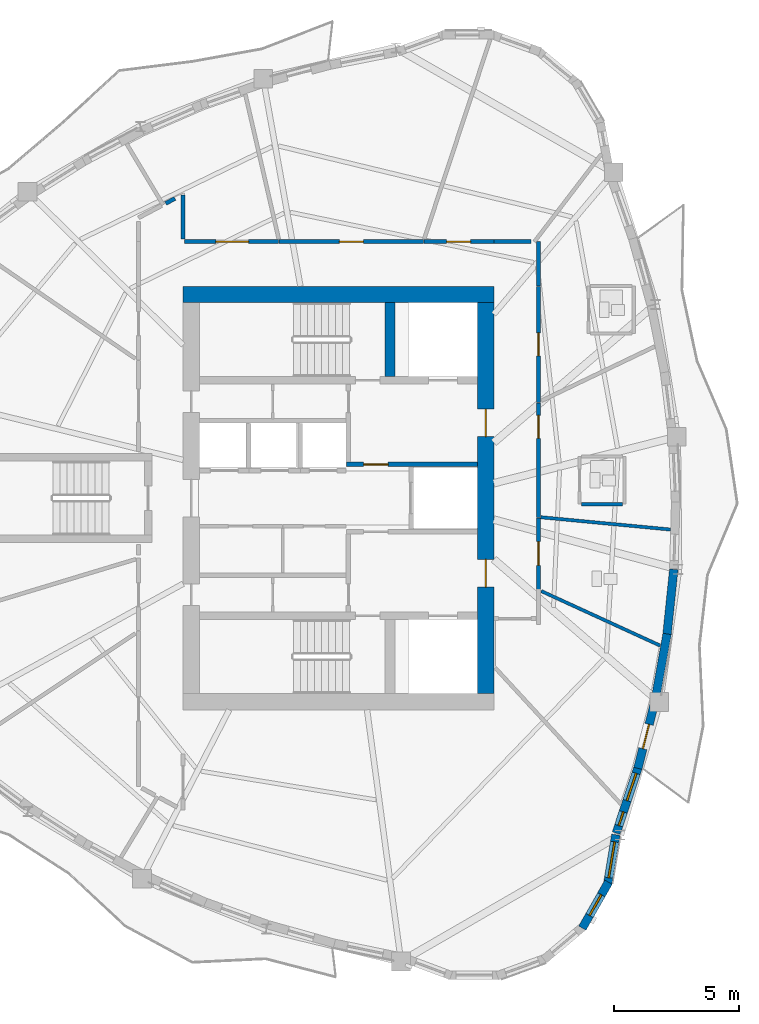
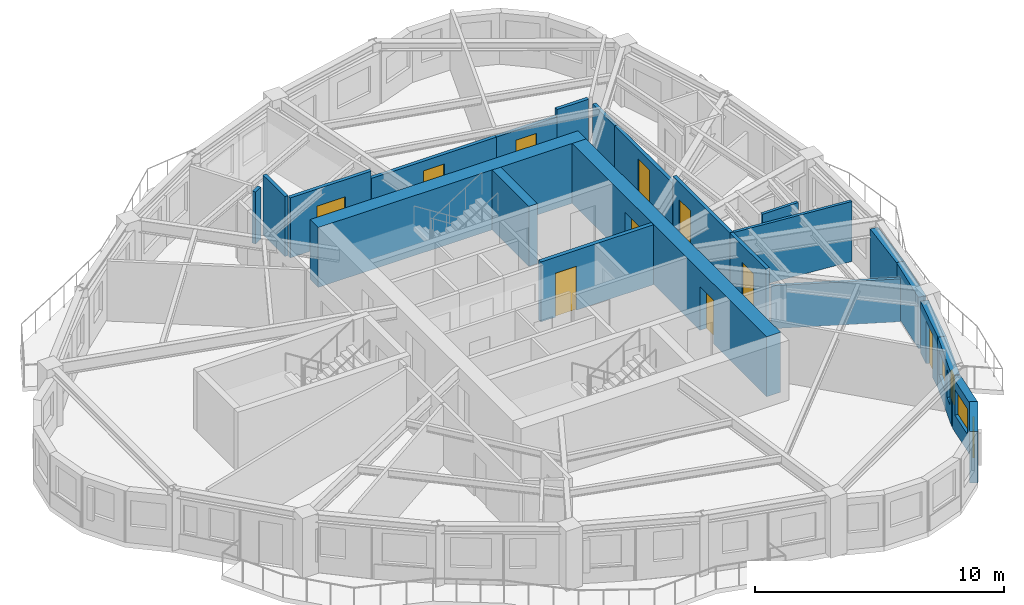
# One storey, part 6 of 12: 23 walls, 10 doors, 4 windows, 14 openings.
"""IFC4 building model written with IfcOpenShell, lengths in metres."""

from ifc_helpers import new_model, si_unit, direction, frame, frame_2d, origin, place, context, subcontext, project, spatial, rectangle, extrude, source, transform, mapped, material, layer, layer_set, type_object, element, fill, save


model = new_model("IFC4")

# Units and contexts
model_context = context("Model", 3, precision=1e-05, world=origin(), true_north=direction((0.0, 1.0)))
body_context = subcontext(model_context, "Body", "Model", "MODEL_VIEW")
ifc_project = project(units=[si_unit("LENGTHUNIT", "METRE"), si_unit("AREAUNIT", "SQUARE_METRE"), si_unit("VOLUMEUNIT", "CUBIC_METRE"), si_unit("PLANEANGLEUNIT", "RADIAN"), si_unit("MASSUNIT", "GRAM", prefix="KILO")], contexts=[model_context])

# Site, building, storey
site_placement = place(None, origin())
site = spatial("IfcSite", under=ifc_project, at=site_placement, CompositionType="ELEMENT")
building_placement = place(site_placement, origin())
building = spatial("IfcBuilding", under=site, at=building_placement, Name="Qafzar Sky-Pleat Residences", CompositionType="ELEMENT")
storey_placement = place(building_placement, frame((0.0, 0.0, 149.0)))
storey = spatial("IfcBuildingStorey", under=building, at=storey_placement, Name="L44", CompositionType="ELEMENT", Elevation=149.0)

# Wall, opening, door
ifc_material_1 = material(Name="Acoustic gypsum plasterboard partition", Category="gypsum")
ifc_layer_1 = layer(ifc_material_1, 0.159912109375)
ifc_layer_set_1 = layer_set([ifc_layer_1], Name="Acoustic gypsum plasterboard partition")
wall_type_1 = type_object("IfcWallType", Name="PART-COR-160", PredefinedType="PARTITIONING", material=ifc_layer_set_1)
wall_1_placement = place(storey_placement, frame((27.97509765625, 36.22998046875, 0.0), z_axis=(0.0, 0.0, 1.0), x_axis=(1.0, 0.0, 0.0)))
wall_1 = element("IfcWall", 1, at=wall_1_placement, inside=storey, type_object=wall_type_1, Name="L44 Partition Wall PART-L44-PW-002", PredefinedType="PARTITIONING", context=body_context, shape_type="SweptSolid", body=[
    extrude(rectangle(XDim=5.77490234375, YDim=0.159912109375, at=frame_2d((2.887451171875, 0.0))), origin(), (0.0, 0.0, 1.0), 2.572998046875),
])
opening_1_placement = place(wall_1_placement, frame((2.407470703125, 0.0, 0.0)))
opening_1 = element("IfcOpeningElement", 2, at=opening_1_placement, cuts=wall_1, Name="Opening ID-06", PredefinedType="OPENING", context=body_context, shape_type="SweptSolid", body=[
    extrude(rectangle(XDim=0.9599609375, YDim=2.10009765625, at=frame_2d((0.47998046875, 1.050048828125))), frame((0.0, 0.08984375, 0.0), z_axis=(0.0, -1.0, 0.0), x_axis=(1.0, 0.0, 0.0)), (0.0, 0.0, 1.0), 0.179931640625),
])
ifc_material_2 = material(Name="Timber-faced fire door", Category="wood")
door_type_1 = type_object("IfcDoorType", Name="DR-STD-960", OperationType="NOTDEFINED", PredefinedType="DOOR", material=ifc_material_2)
shared_shape_1 = source(origin(), body_context, "Body", "SweptSolid", [
    extrude(rectangle(XDim=0.9599609375, YDim=2.10009765625, at=frame_2d((0.47998046875, 1.050048828125))), frame((0.0, 0.02490234375, 0.0), z_axis=(0.0, -1.0, 0.0), x_axis=(1.0, 0.0, 0.0)), (0.0, 0.0, 1.0), 0.050048828125),
])
door_1_placement = place(opening_1_placement, origin())
door_1 = element("IfcDoor", 3, at=door_1_placement, inside=storey, type_object=door_type_1, Name="L44 Scholar Co-Working Workspace Door", OperationType="SINGLE_SWING_RIGHT", OverallHeight=2.10009765625, OverallWidth=0.9599609375, PredefinedType="DOOR", context=body_context, shape_type="MappedRepresentation", body=[
    mapped(shared_shape_1, transform((0.0, 0.0, 0.0), x_axis=(1.0, 0.0, 0.0), y_axis=(0.0, 1.0, 0.0), z_axis=(0.0, 0.0, 1.0), scale=1.0)),
])
fill(opening_1, door_1)

wall_2_placement = place(storey_placement, frame((38.330078125, 34.449951171875, 0.0), z_axis=(0.0, 0.0, 1.0), x_axis=(0.0, -1.0, 0.0)))
wall_2 = element("IfcWall", 4, at=wall_2_placement, inside=storey, type_object=wall_type_1, Name="L44 Partition Wall PART-L44-PW-003", PredefinedType="PARTITIONING", context=body_context, shape_type="SweptSolid", body=[
    extrude(rectangle(XDim=4.64306640625, YDim=0.159912109375, at=frame_2d((2.321533203125, 0.0))), origin(), (0.0, 0.0, 1.0), 2.572998046875),
])
opening_2_placement = place(wall_2_placement, frame((1.85302734375, 0.0, 0.0)))
opening_2 = element("IfcOpeningElement", 5, at=opening_2_placement, cuts=wall_2, Name="Opening ID-04", PredefinedType="OPENING", context=body_context, shape_type="SweptSolid", body=[
    extrude(rectangle(XDim=0.919921875, YDim=2.10009765625, at=frame_2d((0.4599609375, 1.050048828125))), frame((0.0, 0.08984375, 0.0), z_axis=(0.0, -1.0, 0.0), x_axis=(1.0, 0.0, 0.0)), (0.0, 0.0, 1.0), 0.179931640625),
])
door_type_2 = type_object("IfcDoorType", Name="DR-BED-920", OperationType="NOTDEFINED", PredefinedType="DOOR", material=ifc_material_2)
shared_shape_2 = source(origin(), body_context, "Body", "SweptSolid", [
    extrude(rectangle(XDim=0.919921875, YDim=2.10009765625, at=frame_2d((0.4599609375, 1.050048828125))), frame((0.0, 0.02490234375, 0.0), z_axis=(0.0, -1.0, 0.0), x_axis=(1.0, 0.0, 0.0)), (0.0, 0.0, 1.0), 0.050048828125),
])
door_2_placement = place(opening_2_placement, origin())
door_2 = element("IfcDoor", 6, at=door_2_placement, inside=storey, type_object=door_type_2, Name="L44 Co-Living Bedroom 2 Door", OperationType="SINGLE_SWING_LEFT", OverallHeight=2.10009765625, OverallWidth=0.919921875, PredefinedType="DOOR", context=body_context, shape_type="MappedRepresentation", body=[
    mapped(shared_shape_2, transform((0.0, 0.0, 0.0), x_axis=(1.0, 0.0, 0.0), y_axis=(0.0, 1.0, 0.0), z_axis=(0.0, 0.0, 1.0), scale=1.0)),
])
fill(opening_2, door_2)

wall_3_placement = place(storey_placement, frame((38.330078125, 29.7919921875, 0.0), z_axis=(0.0, 0.0, 1.0), x_axis=(0.0, -1.0, 0.0)))
wall_3 = element("IfcWall", 7, at=wall_3_placement, inside=storey, type_object=wall_type_1, Name="L44 Partition Wall PART-L44-PW-004", PredefinedType="PARTITIONING", context=body_context, shape_type="SweptSolid", body=[
    extrude(rectangle(XDim=4.56396484375, YDim=0.159912109375, at=frame_2d((2.281982421875, 0.0))), origin(), (0.0, 0.0, 1.0), 2.93505859375),
])
opening_3_placement = place(wall_3_placement, frame((0.487060546875, 0.0, 0.0)))
opening_3 = element("IfcOpeningElement", 8, at=opening_3_placement, cuts=wall_3, Name="Opening ID-04", PredefinedType="OPENING", context=body_context, shape_type="SweptSolid", body=[
    extrude(rectangle(XDim=0.919921875, YDim=2.10009765625, at=frame_2d((0.4599609375, 1.050048828125))), frame((0.0, 0.08984375, 0.0), z_axis=(0.0, -1.0, 0.0), x_axis=(1.0, 0.0, 0.0)), (0.0, 0.0, 1.0), 0.179931640625),
])
door_3_placement = place(opening_3_placement, origin())
door_3 = element("IfcDoor", 9, at=door_3_placement, inside=storey, type_object=door_type_2, Name="L44 Co-Living Bedroom 1 Door", OperationType="SINGLE_SWING_RIGHT", OverallHeight=2.10009765625, OverallWidth=0.919921875, PredefinedType="DOOR", context=body_context, shape_type="MappedRepresentation", body=[
    mapped(shared_shape_2, transform((0.0, 0.0, 0.0), x_axis=(1.0, 0.0, 0.0), y_axis=(0.0, 1.0, 0.0), z_axis=(0.0, 0.0, 1.0), scale=1.0)),
])
fill(opening_3, door_3)

wall_4_placement = place(storey_placement, frame((24.215087890625, 36.22998046875, 0.0), z_axis=(0.0, 0.0, 1.0), x_axis=(1.0, 0.0, 0.0)))
wall_4 = element("IfcWall", 10, at=wall_4_placement, inside=storey, type_object=wall_type_1, Name="L44 Partition Wall PART-L44-PW-005", PredefinedType="PARTITIONING", context=body_context, shape_type="SweptSolid", body=[
    extrude(rectangle(XDim=3.744873046875, YDim=0.159912109375, at=frame_2d((1.87255859375, 0.0))), origin(), (0.0, 0.0, 1.0), 2.93505859375),
])
opening_4_placement = place(wall_4_placement, frame((1.2470703125, 0.0, 0.0)))
opening_4 = element("IfcOpeningElement", 11, at=opening_4_placement, cuts=wall_4, Name="Opening ID-05", PredefinedType="OPENING", context=body_context, shape_type="SweptSolid", body=[
    extrude(rectangle(XDim=1.300048828125, YDim=2.10009765625, at=frame_2d((0.64990234375, 1.050048828125))), frame((0.0, 0.08984375, 0.0), z_axis=(0.0, -1.0, 0.0), x_axis=(1.0, 0.0, 0.0)), (0.0, 0.0, 1.0), 0.179931640625),
])
door_type_3 = type_object("IfcDoorType", Name="DR-LNG-1300", OperationType="DOUBLE_DOOR_SINGLE_SWING", PredefinedType="DOOR", material=ifc_material_2)
shared_shape_3 = source(origin(), body_context, "Body", "SweptSolid", [
    extrude(rectangle(XDim=1.300048828125, YDim=2.10009765625, at=frame_2d((0.64990234375, 1.050048828125))), frame((0.0, 0.02490234375, 0.0), z_axis=(0.0, -1.0, 0.0), x_axis=(1.0, 0.0, 0.0)), (0.0, 0.0, 1.0), 0.050048828125),
])
door_4_placement = place(opening_4_placement, origin())
door_4 = element("IfcDoor", 12, at=door_4_placement, inside=storey, type_object=door_type_3, Name="L44 Communal Kitchen Door", OperationType="DOUBLE_DOOR_SINGLE_SWING", OverallHeight=2.10009765625, OverallWidth=1.300048828125, PredefinedType="DOOR", context=body_context, shape_type="MappedRepresentation", body=[
    mapped(shared_shape_3, transform((0.0, 0.0, 0.0), x_axis=(1.0, 0.0, 0.0), y_axis=(0.0, 1.0, 0.0), z_axis=(0.0, 0.0, 1.0), scale=1.0)),
])
fill(opening_4, door_4)

wall_5_placement = place(storey_placement, frame((38.330078125, 25.212890625, 0.0), z_axis=(0.0, 0.0, 1.0), x_axis=(0.0, -1.0, 0.0)))
wall_5 = element("IfcWall", 13, at=wall_5_placement, inside=storey, type_object=wall_type_1, Name="L44 Partition Wall PART-L44-PW-009", PredefinedType="PARTITIONING", context=body_context, shape_type="SweptSolid", body=[
    extrude(rectangle(XDim=2.889892578125, YDim=0.159912109375, at=frame_2d((1.44482421875, 0.0))), origin(), (0.0, 0.0, 1.0), 2.93505859375),
])
opening_5_placement = place(wall_5_placement, frame((0.946044921875, 0.0, 0.0)))
opening_5 = element("IfcOpeningElement", 14, at=opening_5_placement, cuts=wall_5, Name="Opening ID-08", PredefinedType="OPENING", context=body_context, shape_type="SweptSolid", body=[
    extrude(rectangle(XDim=0.949951171875, YDim=2.10009765625, at=frame_2d((0.47509765625, 1.050048828125))), frame((0.0, 0.08984375, 0.0), z_axis=(0.0, -1.0, 0.0), x_axis=(1.0, 0.0, 0.0)), (0.0, 0.0, 1.0), 0.179931640625),
])
door_type_4 = type_object("IfcDoorType", Name="DR-AWC-950", OperationType="NOTDEFINED", PredefinedType="DOOR", material=ifc_material_2)
shared_shape_4 = source(origin(), body_context, "Body", "SweptSolid", [
    extrude(rectangle(XDim=0.949951171875, YDim=2.10009765625, at=frame_2d((0.47509765625, 1.050048828125))), frame((0.0, 0.02490234375, 0.0), z_axis=(0.0, -1.0, 0.0), x_axis=(1.0, 0.0, 0.0)), (0.0, 0.0, 1.0), 0.050048828125),
])
door_5_placement = place(opening_5_placement, origin())
door_5 = element("IfcDoor", 15, at=door_5_placement, inside=storey, type_object=door_type_4, Name="L44 Accessible Shared Washroom Door", OperationType="SINGLE_SWING_LEFT", OverallHeight=2.10009765625, OverallWidth=0.949951171875, PredefinedType="DOOR", context=body_context, shape_type="MappedRepresentation", body=[
    mapped(shared_shape_4, transform((0.0, 0.0, 0.0), x_axis=(1.0, 0.0, 0.0), y_axis=(0.0, 1.0, 0.0), z_axis=(0.0, 0.0, 1.0), scale=1.0)),
])
fill(opening_5, door_5)

wall_6_placement = place(storey_placement, frame((33.764892578125, 36.22998046875, 0.0), z_axis=(0.0, 0.0, 1.0), x_axis=(1.0, 0.0, 0.0)))
wall_6 = element("IfcWall", 16, at=wall_6_placement, inside=storey, type_object=wall_type_1, Name="L44 Partition Wall PART-L44-PW-010", PredefinedType="PARTITIONING", context=body_context, shape_type="SweptSolid", body=[
    extrude(rectangle(XDim=2.78515625, YDim=0.159912109375, at=frame_2d((1.392578125, 0.0))), origin(), (0.0, 0.0, 1.0), 2.572998046875),
])
opening_6_placement = place(wall_6_placement, frame((0.89697265625, 0.0, 0.0)))
opening_6 = element("IfcOpeningElement", 17, at=opening_6_placement, cuts=wall_6, Name="Opening ID-06", PredefinedType="OPENING", context=body_context, shape_type="SweptSolid", body=[
    extrude(rectangle(XDim=0.9599609375, YDim=2.10009765625, at=frame_2d((0.47998046875, 1.050048828125))), frame((0.0, 0.08984375, 0.0), z_axis=(0.0, -1.0, 0.0), x_axis=(1.0, 0.0, 0.0)), (0.0, 0.0, 1.0), 0.179931640625),
])
door_6_placement = place(opening_6_placement, origin())
door_6 = element("IfcDoor", 18, at=door_6_placement, inside=storey, type_object=door_type_1, Name="L44 Reading Library Door", OperationType="SINGLE_SWING_RIGHT", OverallHeight=2.10009765625, OverallWidth=0.9599609375, PredefinedType="DOOR", context=body_context, shape_type="MappedRepresentation", body=[
    mapped(shared_shape_1, transform((0.0, 0.0, 0.0), x_axis=(1.0, 0.0, 0.0), y_axis=(0.0, 1.0, 0.0), z_axis=(0.0, 0.0, 1.0), scale=1.0)),
])
fill(opening_6, door_6)

# Walls
wall_7_placement = place(storey_placement, frame((38.330078125, 34.465087890625, 0.0), z_axis=(0.0, 0.0, 1.0), x_axis=(0.0, 1.0, 0.0)))
element("IfcWall", 19, at=wall_7_placement, inside=storey, type_object=wall_type_1, Name="L44 Partition Wall PART-L44-PW-034", PredefinedType="PARTITIONING", context=body_context, shape_type="SweptSolid", body=[
    extrude(rectangle(XDim=1.764892578125, YDim=0.159912109375, at=frame_2d((0.88232421875, 0.0))), origin(), (0.0, 0.0, 1.0), 2.572998046875),
])
wall_8_placement = place(storey_placement, frame((24.14990234375, 36.339111328125, 0.0), z_axis=(0.0, 0.0, 1.0), x_axis=(0.0, 1.0, 0.0)))
element("IfcWall", 20, at=wall_8_placement, inside=storey, type_object=wall_type_1, Name="L44 Partition Wall PART-L44-PW-035", PredefinedType="PARTITIONING", context=body_context, shape_type="SweptSolid", body=[
    extrude(rectangle(XDim=1.7568359375, YDim=0.159912109375, at=frame_2d((0.87841796875, 0.0))), origin(), (0.0, 0.0, 1.0), 2.93505859375),
])
wall_9_placement = place(storey_placement, frame((36.56494140625, 36.22998046875, 0.0), z_axis=(0.0, 0.0, 1.0), x_axis=(1.0, 0.0, 0.0)))
element("IfcWall", 21, at=wall_9_placement, inside=storey, type_object=wall_type_1, Name="L44 Partition Wall PART-L44-PW-036", PredefinedType="PARTITIONING", context=body_context, shape_type="SweptSolid", body=[
    extrude(rectangle(XDim=1.463623046875, YDim=0.159912109375, at=frame_2d((0.73193359375, 0.0))), origin(), (0.0, 0.0, 1.0), 2.93505859375),
])
wall_10_placement = place(storey_placement, frame((23.452392578125, 37.7587890625, 0.0), z_axis=(0.0, 0.0, 1.0), x_axis=(0.884665257528, 0.466226749686, 0.0)))
element("IfcWall", 22, at=wall_10_placement, inside=storey, type_object=wall_type_1, Name="L44 Partition Wall PART-L44-PW-043", PredefinedType="PARTITIONING", context=body_context, shape_type="SweptSolid", body=[
    extrude(rectangle(XDim=0.4189453125, YDim=0.159912109375, at=frame_2d((0.20947265625, 0.0))), origin(), (0.0, 0.0, 1.0), 2.54296875),
])

# Wall, opening, door
ifc_material_3 = material(Name="Concrete blockwork partition", Category="masonry")
ifc_layer_2 = layer(ifc_material_3, 0.179931640625)
ifc_layer_set_2 = layer_set([ifc_layer_2], Name="Concrete blockwork partition")
wall_type_2 = type_object("IfcWallType", Name="PART-SHAFT-180", PredefinedType="PARTITIONING", material=ifc_layer_set_2)
wall_11_placement = place(storey_placement, frame((30.669921875, 27.340087890625, 0.0), z_axis=(0.0, 0.0, 1.0), x_axis=(1.0, 0.0, 0.0)))
wall_11 = element("IfcWall", 23, at=wall_11_placement, inside=storey, type_object=wall_type_2, Name="L44 Partition Wall PART-L44-FFL2-S", PredefinedType="PARTITIONING", context=body_context, shape_type="SweptSolid", body=[
    extrude(rectangle(XDim=5.219970703125, YDim=0.179931640625, at=frame_2d((2.60986328125, 0.0))), origin(), (0.0, 0.0, 1.0), 2.93505859375),
])
opening_7_placement = place(wall_11_placement, frame((0.679931640625, 0.0, 0.0)))
opening_7 = element("IfcOpeningElement", 24, at=opening_7_placement, cuts=wall_11, Name="Opening ID-01", PredefinedType="OPENING", context=body_context, shape_type="SweptSolid", body=[
    extrude(rectangle(XDim=0.97998046875, YDim=2.14990234375, at=frame_2d((0.489990234375, 1.074951171875))), frame((0.0, 0.10009765625, 0.0), z_axis=(0.0, -1.0, 0.0), x_axis=(1.0, 0.0, 0.0)), (0.0, 0.0, 1.0), 0.199951171875),
])
door_type_5 = type_object("IfcDoorType", Name="DR-STAIR-980", OperationType="NOTDEFINED", PredefinedType="DOOR", material=ifc_material_2)
shared_shape_5 = source(origin(), body_context, "Body", "SweptSolid", [
    extrude(rectangle(XDim=0.97998046875, YDim=2.14990234375, at=frame_2d((0.489990234375, 1.074951171875))), frame((0.0, 0.02490234375, 0.0), z_axis=(0.0, -1.0, 0.0), x_axis=(1.0, 0.0, 0.0)), (0.0, 0.0, 1.0), 0.050048828125),
])
door_7_placement = place(opening_7_placement, origin())
door_7 = element("IfcDoor", 25, at=door_7_placement, inside=storey, type_object=door_type_5, Name="L44 Lift Lobby to North Firefighting Lobby Door", OperationType="SINGLE_SWING_RIGHT", OverallHeight=2.14990234375, OverallWidth=0.97998046875, PredefinedType="DOOR", context=body_context, shape_type="MappedRepresentation", body=[
    mapped(shared_shape_5, transform((0.0, 0.0, 0.0), x_axis=(1.0, 0.0, 0.0), y_axis=(0.0, 1.0, 0.0), z_axis=(0.0, 0.0, 1.0), scale=1.0)),
])
fill(opening_7, door_7)

# Walls
ifc_material_4 = material(Name="Moisture-resistant gypsum partition", Category="gypsum")
ifc_layer_3 = layer(ifc_material_4, 0.1298828125)
ifc_layer_set_3 = layer_set([ifc_layer_3], Name="Moisture-resistant gypsum partition")
wall_type_3 = type_object("IfcWallType", Name="PART-WET-130", PredefinedType="PARTITIONING", material=ifc_layer_set_3)
wall_12_placement = place(storey_placement, frame((38.4443359375, 22.28759765625, 0.0), z_axis=(0.0, 0.0, 1.0), x_axis=(0.908945866603, -0.416914153736, 0.0)))
element("IfcWall", 26, at=wall_12_placement, inside=storey, type_object=wall_type_3, Name="L44 Partition Wall PART-L44-PW-021", PredefinedType="PARTITIONING", context=body_context, shape_type="SweptSolid", body=[
    extrude(rectangle(XDim=5.216552734375, YDim=0.1298828125, at=frame_2d((2.6083984375, 0.0))), origin(), (0.0, 0.0, 1.0), 2.10302734375),
])
wall_13_placement = place(storey_placement, frame((38.424072265625, 25.235107421875, 0.0), z_axis=(0.0, 0.0, 1.0), x_axis=(0.995523942217, -0.094509684549, 0.0)))
element("IfcWall", 27, at=wall_13_placement, inside=storey, type_object=wall_type_3, Name="L44 Partition Wall PART-L44-PW-022", PredefinedType="PARTITIONING", context=body_context, shape_type="SweptSolid", body=[
    extrude(rectangle(XDim=5.19482421875, YDim=0.1298828125, at=frame_2d((2.597412109375, 0.0))), origin(), (0.0, 0.0, 1.0), 2.93505859375),
])
wall_14_placement = place(storey_placement, frame((40.041015625, 25.757080078125, 0.0), z_axis=(0.0, 0.0, 1.0), x_axis=(1.0, 0.0, 0.0)))
element("IfcWall", 28, at=wall_14_placement, inside=storey, type_object=wall_type_3, Name="L44 Partition Wall PART-L44-PW-032", PredefinedType="PARTITIONING", context=body_context, shape_type="SweptSolid", body=[
    extrude(rectangle(XDim=1.654052734375, YDim=0.1298828125, at=frame_2d((0.8271484375, 0.0))), origin(), (0.0, 0.0, 1.0), 2.93505859375),
])

# Wall, opening, window
ifc_material_5 = material(Name="Precast concrete C40/50 with honed Riyadh limestone", Category="concrete")
ifc_layer_4 = layer(ifc_material_5, 0.340087890625)
ifc_layer_set_4 = layer_set([ifc_layer_4], Name="Precast concrete C40/50 with honed Riyadh limestone")
wall_type_4 = type_object("IfcWallType", Name="WALL-EXT-340", PredefinedType="SOLIDWALL", material=ifc_layer_set_4)
wall_15_placement = place(storey_placement, frame((40.082275390625, 8.83837890625, 0.0), z_axis=(0.0, 0.0, 1.0), x_axis=(0.495764837717, 0.868456807034, 0.0)))
wall_15 = element("IfcWall", 29, at=wall_15_placement, inside=storey, type_object=wall_type_4, Name="L44 Limestone Facade Wall 21", PredefinedType="SOLIDWALL", context=body_context, shape_type="SweptSolid", body=[
    extrude(rectangle(XDim=2.108642578125, YDim=0.340087890625, at=frame_2d((1.05419921875, 0.0))), origin(), (0.0, 0.0, 1.0), 2.514892578125),
])
opening_8_placement = place(wall_15_placement, frame((0.579345703125, 0.0, 0.820068359375)))
opening_8 = element("IfcOpeningElement", 30, at=opening_8_placement, cuts=wall_15, Name="Opening WN-12", PredefinedType="OPENING", context=body_context, shape_type="SweptSolid", body=[
    extrude(rectangle(XDim=0.949951171875, YDim=1.35009765625, at=frame_2d((0.47509765625, 0.675048828125))), frame((0.0, 0.18017578125, 0.0), z_axis=(0.0, -1.0, 0.0), x_axis=(1.0, 0.0, 0.0)), (0.0, 0.0, 1.0), 0.360107421875),
])
ifc_material_6 = material(Name="Solar-control low-E glass in bronze aluminium frame", Category="glass")
window_type_1 = type_object("IfcWindowType", Name="WIN-12", PartitioningType="SINGLE_PANEL", PredefinedType="WINDOW", material=ifc_material_6)
shared_shape_6 = source(origin(), body_context, "Body", "SweptSolid", [
    extrude(rectangle(XDim=0.949951171875, YDim=1.35009765625, at=frame_2d((0.47509765625, 0.675048828125))), frame((0.0, 0.030029296875, 0.0), z_axis=(0.0, -1.0, 0.0), x_axis=(1.0, 0.0, 0.0)), (0.0, 0.0, 1.0), 0.06005859375),
])
window_1_placement = place(opening_8_placement, origin())
window_1 = element("IfcWindow", 31, at=window_1_placement, inside=storey, type_object=window_type_1, Name="L44 Punched Facade Window 21", OverallHeight=1.35009765625, OverallWidth=0.949951171875, PartitioningType="SINGLE_PANEL", PredefinedType="WINDOW", context=body_context, shape_type="MappedRepresentation", body=[
    mapped(shared_shape_6, transform((0.0, 0.0, 0.0), x_axis=(1.0, 0.0, 0.0), y_axis=(0.0, 1.0, 0.0), z_axis=(0.0, 0.0, 1.0), scale=1.0)),
])
fill(opening_8, window_1)

wall_16_placement = place(storey_placement, frame((41.08251953125, 10.54296875, 0.0), z_axis=(0.0, 0.0, 1.0), x_axis=(0.165711561454, 0.986174263708, 0.0)))
wall_16 = element("IfcWall", 32, at=wall_16_placement, inside=storey, type_object=wall_type_4, Name="L44 Limestone Facade Wall 22", PredefinedType="SOLIDWALL", context=body_context, shape_type="SweptSolid", body=[
    extrude(rectangle(XDim=2.05078125, YDim=0.340087890625, at=frame_2d((1.025390625, 0.0))), origin(), (0.0, 0.0, 1.0), 2.514892578125),
])
opening_9_placement = place(wall_16_placement, frame((0.310302734375, 0.0, 0.820068359375)))
opening_9 = element("IfcOpeningElement", 33, at=opening_9_placement, cuts=wall_16, Name="Opening WN-15", PredefinedType="OPENING", context=body_context, shape_type="SweptSolid", body=[
    extrude(rectangle(XDim=1.449951171875, YDim=1.25, at=frame_2d((0.72509765625, 0.625))), frame((0.0, 0.18017578125, 0.0), z_axis=(0.0, -1.0, 0.0), x_axis=(1.0, 0.0, 0.0)), (0.0, 0.0, 1.0), 0.360107421875),
])
window_type_2 = type_object("IfcWindowType", Name="WIN-15", PartitioningType="SINGLE_PANEL", PredefinedType="WINDOW", material=ifc_material_6)
shared_shape_7 = source(origin(), body_context, "Body", "SweptSolid", [
    extrude(rectangle(XDim=1.449951171875, YDim=1.25, at=frame_2d((0.72509765625, 0.625))), frame((0.0, 0.030029296875, 0.0), z_axis=(0.0, -1.0, 0.0), x_axis=(1.0, 0.0, 0.0)), (0.0, 0.0, 1.0), 0.06005859375),
])
window_2_placement = place(opening_9_placement, origin())
window_2 = element("IfcWindow", 34, at=window_2_placement, inside=storey, type_object=window_type_2, Name="L44 Punched Facade Window 22", OverallHeight=1.25, OverallWidth=1.449951171875, PartitioningType="SINGLE_PANEL", PredefinedType="WINDOW", context=body_context, shape_type="MappedRepresentation", body=[
    mapped(shared_shape_7, transform((0.0, 0.0, 0.0), x_axis=(1.0, 0.0, 0.0), y_axis=(0.0, 1.0, 0.0), z_axis=(0.0, 0.0, 1.0), scale=1.0)),
])
fill(opening_9, window_2)

# Wall, openings, windows
wall_17_placement = place(storey_placement, frame((41.438232421875, 12.62939453125, 0.0), z_axis=(0.0, 0.0, 1.0), x_axis=(0.314534815528, 0.949245937479, 0.0)))
wall_17 = element("IfcWall", 35, at=wall_17_placement, inside=storey, type_object=wall_type_4, Name="L44 Limestone Facade Wall 23", PredefinedType="SOLIDWALL", context=body_context, shape_type="SweptSolid", body=[
    extrude(rectangle(XDim=2.81298828125, YDim=0.340087890625, at=frame_2d((1.406494140625, 0.0))), origin(), (0.0, 0.0, 1.0), 2.514892578125),
])
opening_10_placement = place(wall_17_placement, frame((0.311767578125, 0.0, 0.820068359375)))
opening_10 = element("IfcOpeningElement", 36, at=opening_10_placement, cuts=wall_17, Name="Opening WN-17", PredefinedType="OPENING", context=body_context, shape_type="SweptSolid", body=[
    extrude(rectangle(XDim=0.580078125, YDim=1.35009765625, at=frame_2d((0.2900390625, 0.675048828125))), frame((0.0, 0.18017578125, 0.0), z_axis=(0.0, -1.0, 0.0), x_axis=(1.0, 0.0, 0.0)), (0.0, 0.0, 1.0), 0.360107421875),
])
opening_11_placement = place(wall_17_placement, frame((1.36328125, 0.0, 0.820068359375)))
opening_11 = element("IfcOpeningElement", 37, at=opening_11_placement, cuts=wall_17, Name="Opening WN-16", PredefinedType="OPENING", context=body_context, shape_type="SweptSolid", body=[
    extrude(rectangle(XDim=1.14990234375, YDim=1.199951171875, at=frame_2d((0.574951171875, 0.60009765625))), frame((0.0, 0.18017578125, 0.0), z_axis=(0.0, -1.0, 0.0), x_axis=(1.0, 0.0, 0.0)), (0.0, 0.0, 1.0), 0.360107421875),
])
window_type_3 = type_object("IfcWindowType", Name="WIN-17", PartitioningType="SINGLE_PANEL", PredefinedType="WINDOW", material=ifc_material_6)
shared_shape_8 = source(origin(), body_context, "Body", "SweptSolid", [
    extrude(rectangle(XDim=0.580078125, YDim=1.35009765625, at=frame_2d((0.2900390625, 0.675048828125))), frame((0.0, 0.030029296875, 0.0), z_axis=(0.0, -1.0, 0.0), x_axis=(1.0, 0.0, 0.0)), (0.0, 0.0, 1.0), 0.06005859375),
])
window_3_placement = place(opening_10_placement, origin())
window_3 = element("IfcWindow", 38, at=window_3_placement, inside=storey, type_object=window_type_3, Name="L44 Punched Facade Window 23", OverallHeight=1.35009765625, OverallWidth=0.580078125, PartitioningType="SINGLE_PANEL", PredefinedType="WINDOW", context=body_context, shape_type="MappedRepresentation", body=[
    mapped(shared_shape_8, transform((0.0, 0.0, 0.0), x_axis=(1.0, 0.0, 0.0), y_axis=(0.0, 1.0, 0.0), z_axis=(0.0, 0.0, 1.0), scale=1.0)),
])
fill(opening_10, window_3)
window_type_4 = type_object("IfcWindowType", Name="WIN-16", PartitioningType="SINGLE_PANEL", PredefinedType="WINDOW", material=ifc_material_6)
shared_shape_9 = source(origin(), body_context, "Body", "SweptSolid", [
    extrude(rectangle(XDim=1.14990234375, YDim=1.199951171875, at=frame_2d((0.574951171875, 0.60009765625))), frame((0.0, 0.030029296875, 0.0), z_axis=(0.0, -1.0, 0.0), x_axis=(1.0, 0.0, 0.0)), (0.0, 0.0, 1.0), 0.06005859375),
])
window_4_placement = place(opening_11_placement, origin())
window_4 = element("IfcWindow", 39, at=window_4_placement, inside=storey, type_object=window_type_4, Name="L44 Punched Facade Window 23-2", OverallHeight=1.199951171875, OverallWidth=1.14990234375, PartitioningType="SINGLE_PANEL", PredefinedType="WINDOW", context=body_context, shape_type="MappedRepresentation", body=[
    mapped(shared_shape_9, transform((0.0, 0.0, 0.0), x_axis=(1.0, 0.0, 0.0), y_axis=(0.0, 1.0, 0.0), z_axis=(0.0, 0.0, 1.0), scale=1.0)),
])
fill(opening_11, window_4)

# Wall, opening, door
wall_18_placement = place(storey_placement, frame((42.298095703125, 15.21533203125, 0.0), z_axis=(0.0, 0.0, 1.0), x_axis=(0.24779460158, 0.968812590457, 0.0)))
wall_18 = element("IfcWall", 40, at=wall_18_placement, inside=storey, type_object=wall_type_4, Name="L44 Limestone Facade Wall 24", PredefinedType="SOLIDWALL", context=body_context, shape_type="SweptSolid", body=[
    extrude(rectangle(XDim=2.619873046875, YDim=0.340087890625, at=frame_2d((1.31005859375, 0.0))), origin(), (0.0, 0.0, 1.0), 2.514892578125),
])
opening_12_placement = place(wall_18_placement, frame((0.809814453125, 0.0, 0.0)))
opening_12 = element("IfcOpeningElement", 41, at=opening_12_placement, cuts=wall_18, Name="Opening ED-05", PredefinedType="OPENING", context=body_context, shape_type="SweptSolid", body=[
    extrude(rectangle(XDim=1.0, YDim=2.10009765625, at=frame_2d((0.5, 1.050048828125))), frame((0.0, 0.18017578125, 0.0), z_axis=(0.0, -1.0, 0.0), x_axis=(1.0, 0.0, 0.0)), (0.0, 0.0, 1.0), 0.360107421875),
])
ifc_material_7 = material(Name="Glazed bronze aluminium door", Category="aluminium")
door_type_6 = type_object("IfcDoorType", Name="DR-BAL-1000", OperationType="NOTDEFINED", PredefinedType="DOOR", material=ifc_material_7)
shared_shape_10 = source(origin(), body_context, "Body", "SweptSolid", [
    extrude(rectangle(XDim=1.0, YDim=2.10009765625, at=frame_2d((0.5, 1.050048828125))), frame((0.0, 0.02490234375, 0.0), z_axis=(0.0, -1.0, 0.0), x_axis=(1.0, 0.0, 0.0)), (0.0, 0.0, 1.0), 0.050048828125),
])
door_8_placement = place(opening_12_placement, origin())
door_8 = element("IfcDoor", 42, at=door_8_placement, inside=storey, type_object=door_type_6, Name="L44 Glazed Balcony Door 1", OperationType="SINGLE_SWING_LEFT", OverallHeight=2.10009765625, OverallWidth=1.0, PredefinedType="DOOR", context=body_context, shape_type="MappedRepresentation", body=[
    mapped(shared_shape_10, transform((0.0, 0.0, 0.0), x_axis=(1.0, 0.0, 0.0), y_axis=(0.0, 1.0, 0.0), z_axis=(0.0, 0.0, 1.0), scale=1.0)),
])
fill(opening_12, door_8)

# Walls
wall_19_placement = place(storey_placement, frame((43.010498046875, 18.044189453125, 0.0), z_axis=(0.0, 0.0, 1.0), x_axis=(0.177116262048, 0.984189935794, 0.0)))
element("IfcWall", 43, at=wall_19_placement, inside=storey, type_object=wall_type_4, Name="L44 Limestone Facade Wall 25", PredefinedType="SOLIDWALL", context=body_context, shape_type="SweptSolid", body=[
    extrude(rectangle(XDim=2.574951171875, YDim=0.340087890625, at=frame_2d((1.28759765625, 0.0))), origin(), (0.0, 0.0, 1.0), 2.514892578125),
])
wall_20_placement = place(storey_placement, frame((43.4541015625, 20.490478515625, 0.0), z_axis=(0.0, 0.0, 1.0), x_axis=(0.103669919384, 0.994611757328, 0.0)))
element("IfcWall", 44, at=wall_20_placement, inside=storey, type_object=wall_type_4, Name="L44 Limestone Facade Wall 26", PredefinedType="SOLIDWALL", context=body_context, shape_type="SweptSolid", body=[
    extrude(rectangle(XDim=2.679931640625, YDim=0.340087890625, at=frame_2d((1.33984375, 0.0))), origin(), (0.0, 0.0, 1.0), 2.514892578125),
])
ifc_material_8 = material(Name="Concrete C60/75", Category="concrete")
ifc_layer_5 = layer(ifc_material_8, 0.39990234375)
ifc_layer_set_5 = layer_set([ifc_layer_5], Name="Concrete C60/75")
wall_type_5 = type_object("IfcWallType", Name="WALL-SHEAR-400", PredefinedType="SHEAR", material=ifc_layer_set_5)
wall_21_placement = place(storey_placement, frame((32.39990234375, 30.85009765625, 0.0), z_axis=(0.0, 0.0, 1.0), x_axis=(0.0, 1.0, 0.0)))
element("IfcWall", 45, at=wall_21_placement, inside=storey, type_object=wall_type_5, Name="L44 Stair ST2 East Dividing Wall", PredefinedType="SHEAR", context=body_context, shape_type="SweptSolid", body=[
    extrude(rectangle(XDim=2.949951171875, YDim=0.39990234375, at=frame_2d((1.47509765625, 0.0))), origin(), (0.0, 0.0, 1.0), 2.93505859375),
])
ifc_layer_6 = layer(ifc_material_8, 0.64990234375)
ifc_layer_set_6 = layer_set([ifc_layer_6], Name="Concrete C60/75")
wall_type_6 = type_object("IfcWallType", Name="WALL-SHEAR-650", PredefinedType="SHEAR", material=ifc_layer_set_6)
wall_22_placement = place(storey_placement, frame((36.550048828125, 34.125, 0.0), z_axis=(0.0, 0.0, 1.0), x_axis=(-1.0, 0.0, 0.0)))
element("IfcWall", 46, at=wall_22_placement, inside=storey, type_object=wall_type_6, Name="L44 CORE wall N", PredefinedType="SHEAR", context=body_context, shape_type="SweptSolid", body=[
    extrude(rectangle(XDim=12.400146484375, YDim=0.64990234375, at=frame_2d((6.2001953125, 0.0))), origin(), (0.0, 0.0, 1.0), 2.93505859375),
])

# Wall, openings, doors
wall_23_placement = place(storey_placement, frame((36.22509765625, 18.199951171875, 0.0), z_axis=(0.0, 0.0, 1.0), x_axis=(0.0, 1.0, 0.0)))
wall_23 = element("IfcWall", 47, at=wall_23_placement, inside=storey, type_object=wall_type_6, Name="L44 CORE wall E", PredefinedType="SHEAR", context=body_context, shape_type="SweptSolid", body=[
    extrude(rectangle(XDim=15.60009765625, YDim=0.64990234375, at=frame_2d((7.800048828125, 0.0))), origin(), (0.0, 0.0, 1.0), 2.93505859375),
])
opening_13_placement = place(wall_23_placement, frame((4.25, 0.0, 0.0)))
opening_13 = element("IfcOpeningElement", 48, at=opening_13_placement, cuts=wall_23, Name="Opening ID-02", PredefinedType="OPENING", context=body_context, shape_type="SweptSolid", body=[
    extrude(rectangle(XDim=1.10009765625, YDim=2.14990234375, at=frame_2d((0.550048828125, 1.074951171875))), frame((0.0, 0.3349609375, 0.0), z_axis=(0.0, -1.0, 0.0), x_axis=(1.0, 0.0, 0.0)), (0.0, 0.0, 1.0), 0.669921875),
])
opening_14_placement = place(wall_23_placement, frame((10.25, 0.0, 0.0)))
opening_14 = element("IfcOpeningElement", 49, at=opening_14_placement, cuts=wall_23, Name="Opening ID-02", PredefinedType="OPENING", context=body_context, shape_type="SweptSolid", body=[
    extrude(rectangle(XDim=1.10009765625, YDim=2.14990234375, at=frame_2d((0.550048828125, 1.074951171875))), frame((0.0, 0.3349609375, 0.0), z_axis=(0.0, -1.0, 0.0), x_axis=(1.0, 0.0, 0.0)), (0.0, 0.0, 1.0), 0.669921875),
])
door_type_7 = type_object("IfcDoorType", Name="DR-FFL-1100", OperationType="NOTDEFINED", PredefinedType="DOOR", material=ifc_material_2)
shared_shape_11 = source(origin(), body_context, "Body", "SweptSolid", [
    extrude(rectangle(XDim=1.10009765625, YDim=2.14990234375, at=frame_2d((0.550048828125, 1.074951171875))), frame((0.0, 0.02490234375, 0.0), z_axis=(0.0, -1.0, 0.0), x_axis=(1.0, 0.0, 0.0)), (0.0, 0.0, 1.0), 0.050048828125),
])
door_9_placement = place(opening_13_placement, origin())
door_9 = element("IfcDoor", 50, at=door_9_placement, inside=storey, type_object=door_type_7, Name="L44 Firefighting Lobby South Corridor Door", OperationType="SINGLE_SWING_LEFT", OverallHeight=2.14990234375, OverallWidth=1.10009765625, PredefinedType="DOOR", context=body_context, shape_type="MappedRepresentation", body=[
    mapped(shared_shape_11, transform((0.0, 0.0, 0.0), x_axis=(1.0, 0.0, 0.0), y_axis=(0.0, 1.0, 0.0), z_axis=(0.0, 0.0, 1.0), scale=1.0)),
])
fill(opening_13, door_9)
door_10_placement = place(opening_14_placement, origin())
door_10 = element("IfcDoor", 51, at=door_10_placement, inside=storey, type_object=door_type_7, Name="L44 Firefighting Lobby North Corridor Door", OperationType="SINGLE_SWING_RIGHT", OverallHeight=2.14990234375, OverallWidth=1.10009765625, PredefinedType="DOOR", context=body_context, shape_type="MappedRepresentation", body=[
    mapped(shared_shape_11, transform((0.0, 0.0, 0.0), x_axis=(1.0, 0.0, 0.0), y_axis=(0.0, 1.0, 0.0), z_axis=(0.0, 0.0, 1.0), scale=1.0)),
])
fill(opening_14, door_10)

save(model, "model.ifc")
